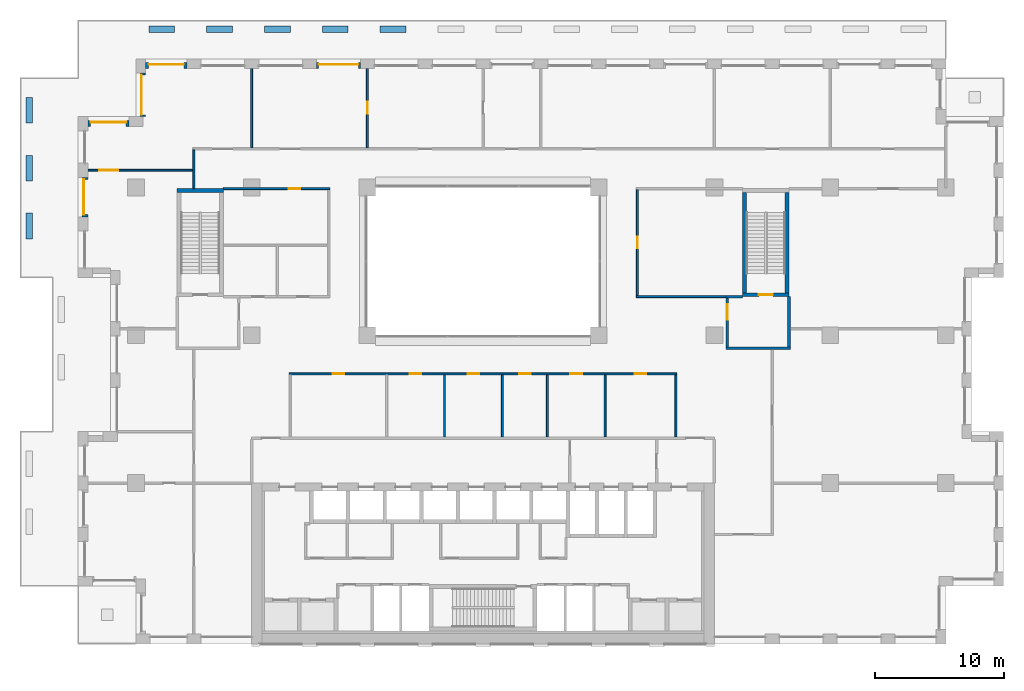
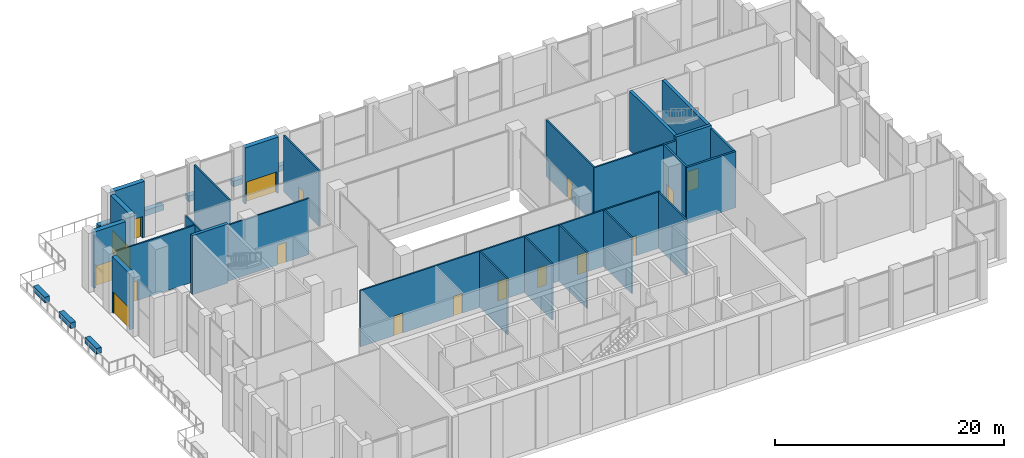
# One storey, part 16 of 21: 34 walls, 17 doors, 17 openings.
"""IFC4 building model written with IfcOpenShell, lengths in metres."""

from ifc_helpers import new_model, si_unit, direction, frame, frame_2d, origin, place, context, subcontext, project, spatial, rectangle, extrude, material, layer, layer_set, type_object, element, fill, save


model = new_model("IFC4")

# Units and contexts
model_context = context("Model", 3, precision=1e-05, world=origin(), true_north=direction((0.0, 1.0)))
body_context = subcontext(model_context, "Body", "Model", "MODEL_VIEW")
ifc_project = project(units=[si_unit("LENGTHUNIT", "METRE"), si_unit("AREAUNIT", "SQUARE_METRE"), si_unit("VOLUMEUNIT", "CUBIC_METRE"), si_unit("PLANEANGLEUNIT", "RADIAN"), si_unit("MASSUNIT", "GRAM", prefix="KILO")], contexts=[model_context])

# Site, building, storey
site_placement = place(None, origin())
site = spatial("IfcSite", under=ifc_project, at=site_placement, CompositionType="ELEMENT")
building_placement = place(site_placement, origin())
building = spatial("IfcBuilding", under=site, at=building_placement, Name="Brigalow Station Residences", CompositionType="ELEMENT")
storey_placement = place(building_placement, frame((0.0, 0.0, 77.25)))
storey = spatial("IfcBuildingStorey", under=building, at=storey_placement, Name="L22", CompositionType="ELEMENT", Elevation=77.25)

# Wall, opening, door
ifc_material_1 = material(Name="Clay brick masonry", Category="masonry")
ifc_layer_1 = layer(ifc_material_1, 0.449951171875)
ifc_layer_set_1 = layer_set([ifc_layer_1], Name="BRICK INFILL WALL 450")
wall_type_1 = type_object("IfcWallType", Name="BRICK INFILL WALL 450", PredefinedType="SOLIDWALL", material=ifc_layer_set_1)
wall_1_placement = place(storey_placement, frame((26.449951171875, 44.97509765625, 0.0), z_axis=(0.0, 0.0, 1.0), x_axis=(-1.0, 0.0, 0.0)))
wall_1 = element("IfcWall", 1, at=wall_1_placement, inside=storey, type_object=wall_type_1, Name="L22/ewall/W-L22-33", PredefinedType="SOLIDWALL", context=body_context, shape_type="SweptSolid", body=[
    extrude(rectangle(XDim=3.39990234375, YDim=0.449951171875, at=frame_2d((1.699951171875, 0.0))), origin(), (0.0, 0.0, 1.0), 5.97998046875),
])
opening_1_placement = place(wall_1_placement, frame((0.14990234375, 0.0, 0.0)))
opening_1 = element("IfcOpeningElement", 2, at=opening_1_placement, cuts=wall_1, Name="Opening D-B3100", PredefinedType="OPENING", context=body_context, shape_type="SweptSolid", body=[
    extrude(rectangle(XDim=3.10009765625, YDim=2.300048828125, at=frame_2d((1.550048828125, 1.14990234375))), frame((0.0, 0.23486328125, 0.0), z_axis=(0.0, -1.0, 0.0), x_axis=(1.0, 0.0, 0.0)), (0.0, 0.0, 1.0), 0.469970703125),
])
ifc_material_2 = material(Name="Anodised aluminium frame with double glazing", Category="aluminium")
door_type_1 = type_object("IfcDoorType", Name="BALCONY SLIDING DOOR 3100x2300", OperationType="SLIDING_TO_LEFT", PredefinedType="DOOR", material=ifc_material_2)
door_1_placement = place(opening_1_placement, origin())
door_1 = element("IfcDoor", 3, at=door_1_placement, inside=storey, type_object=door_type_1, Name="L22/balcony-door/W-L22-33", OperationType="SLIDING_TO_LEFT", OverallHeight=2.300048828125, OverallWidth=3.10009765625, PredefinedType="DOOR", context=body_context, shape_type="SweptSolid", body=[
    extrude(rectangle(XDim=3.10009765625, YDim=2.300048828125, at=frame_2d((1.550048828125, 1.14990234375))), frame((0.0, -0.06982421875, 0.0), z_axis=(0.0, -1.0, 0.0), x_axis=(1.0, 0.0, 0.0)), (0.0, 0.0, 1.0), 0.050048828125),
])
fill(opening_1, door_1)

wall_2_placement = place(storey_placement, frame((12.949951171875, 44.97509765625, 0.0), z_axis=(0.0, 0.0, 1.0), x_axis=(-1.0, 0.0, 0.0)))
wall_2 = element("IfcWall", 4, at=wall_2_placement, inside=storey, type_object=wall_type_1, Name="L22/ewall/W-L22-36", PredefinedType="SOLIDWALL", context=body_context, shape_type="SweptSolid", body=[
    extrude(rectangle(XDim=3.199951171875, YDim=0.449951171875, at=frame_2d((1.60009765625, 0.0))), origin(), (0.0, 0.0, 1.0), 5.97998046875),
])
opening_2_placement = place(wall_2_placement, frame((0.22509765625, 0.0, 0.0)))
opening_2 = element("IfcOpeningElement", 5, at=opening_2_placement, cuts=wall_2, Name="Opening D-B2750", PredefinedType="OPENING", context=body_context, shape_type="SweptSolid", body=[
    extrude(rectangle(XDim=2.75, YDim=2.300048828125, at=frame_2d((1.375, 1.14990234375))), frame((0.0, 0.23486328125, 0.0), z_axis=(0.0, -1.0, 0.0), x_axis=(1.0, 0.0, 0.0)), (0.0, 0.0, 1.0), 0.469970703125),
])
ifc_material_3 = material(Name="Anodised aluminium frame with double glazing", Category="aluminium")
door_type_2 = type_object("IfcDoorType", Name="BALCONY SLIDING DOOR 2750x2300", OperationType="SLIDING_TO_LEFT", PredefinedType="DOOR", material=ifc_material_3)
door_2_placement = place(opening_2_placement, origin())
door_2 = element("IfcDoor", 6, at=door_2_placement, inside=storey, type_object=door_type_2, Name="L22/balcony-door/W-L22-36", OperationType="SLIDING_TO_LEFT", OverallHeight=2.300048828125, OverallWidth=2.75, PredefinedType="DOOR", context=body_context, shape_type="SweptSolid", body=[
    extrude(rectangle(XDim=2.75, YDim=2.300048828125, at=frame_2d((1.375, 1.14990234375))), frame((0.0, -0.06982421875, 0.0), z_axis=(0.0, -1.0, 0.0), x_axis=(1.0, 0.0, 0.0)), (0.0, 0.0, 1.0), 0.050048828125),
])
fill(opening_2, door_2)

wall_3_placement = place(storey_placement, frame((9.52490234375, 44.39990234375, 0.0), z_axis=(0.0, 0.0, 1.0), x_axis=(0.0, -1.0, 0.0)))
wall_3 = element("IfcWall", 7, at=wall_3_placement, inside=storey, type_object=wall_type_1, Name="L22/ewall/W-L22-37", PredefinedType="SOLIDWALL", context=body_context, shape_type="SweptSolid", body=[
    extrude(rectangle(XDim=3.39990234375, YDim=0.449951171875, at=frame_2d((1.699951171875, 0.0))), origin(), (0.0, 0.0, 1.0), 5.97998046875),
])
opening_3_placement = place(wall_3_placement, frame((0.14990234375, 0.0, 0.0)))
opening_3 = element("IfcOpeningElement", 8, at=opening_3_placement, cuts=wall_3, Name="Opening D-B3100", PredefinedType="OPENING", context=body_context, shape_type="SweptSolid", body=[
    extrude(rectangle(XDim=3.10009765625, YDim=2.300048828125, at=frame_2d((1.550048828125, 1.14990234375))), frame((0.0, 0.23486328125, 0.0), z_axis=(0.0, -1.0, 0.0), x_axis=(1.0, 0.0, 0.0)), (0.0, 0.0, 1.0), 0.469970703125),
])
door_3_placement = place(opening_3_placement, origin())
door_3 = element("IfcDoor", 9, at=door_3_placement, inside=storey, type_object=door_type_1, Name="L22/balcony-door/W-L22-37", OperationType="SLIDING_TO_LEFT", OverallHeight=2.300048828125, OverallWidth=3.10009765625, PredefinedType="DOOR", context=body_context, shape_type="SweptSolid", body=[
    extrude(rectangle(XDim=3.10009765625, YDim=2.300048828125, at=frame_2d((1.550048828125, 1.14990234375))), frame((0.0, -0.06982421875, 0.0), z_axis=(0.0, -1.0, 0.0), x_axis=(1.0, 0.0, 0.0)), (0.0, 0.0, 1.0), 0.050048828125),
])
fill(opening_3, door_3)

wall_4_placement = place(storey_placement, frame((8.449951171875, 40.47509765625, 0.0), z_axis=(0.0, 0.0, 1.0), x_axis=(-1.0, 0.0, 0.0)))
wall_4 = element("IfcWall", 10, at=wall_4_placement, inside=storey, type_object=wall_type_1, Name="L22/ewall/W-L22-38", PredefinedType="SOLIDWALL", context=body_context, shape_type="SweptSolid", body=[
    extrude(rectangle(XDim=3.199951171875, YDim=0.449951171875, at=frame_2d((1.60009765625, 0.0))), origin(), (0.0, 0.0, 1.0), 5.97998046875),
])
opening_4_placement = place(wall_4_placement, frame((0.22509765625, 0.0, 0.0)))
opening_4 = element("IfcOpeningElement", 11, at=opening_4_placement, cuts=wall_4, Name="Opening D-B2750", PredefinedType="OPENING", context=body_context, shape_type="SweptSolid", body=[
    extrude(rectangle(XDim=2.75, YDim=2.300048828125, at=frame_2d((1.375, 1.14990234375))), frame((0.0, 0.23486328125, 0.0), z_axis=(0.0, -1.0, 0.0), x_axis=(1.0, 0.0, 0.0)), (0.0, 0.0, 1.0), 0.469970703125),
])
door_4_placement = place(opening_4_placement, origin())
door_4 = element("IfcDoor", 12, at=door_4_placement, inside=storey, type_object=door_type_2, Name="L22/balcony-door/W-L22-38", OperationType="SLIDING_TO_LEFT", OverallHeight=2.300048828125, OverallWidth=2.75, PredefinedType="DOOR", context=body_context, shape_type="SweptSolid", body=[
    extrude(rectangle(XDim=2.75, YDim=2.300048828125, at=frame_2d((1.375, 1.14990234375))), frame((0.0, -0.06982421875, 0.0), z_axis=(0.0, -1.0, 0.0), x_axis=(1.0, 0.0, 0.0)), (0.0, 0.0, 1.0), 0.050048828125),
])
fill(opening_4, door_4)

wall_5_placement = place(storey_placement, frame((5.02490234375, 36.282958984375, 0.0), z_axis=(0.0, 0.0, 1.0), x_axis=(0.0, -1.0, 0.0)))
wall_5 = element("IfcWall", 13, at=wall_5_placement, inside=storey, type_object=wall_type_1, Name="L22/ewall/W-L22-40", PredefinedType="SOLIDWALL", context=body_context, shape_type="SweptSolid", body=[
    extrude(rectangle(XDim=3.06591796875, YDim=0.449951171875, at=frame_2d((1.532958984375, 0.0))), origin(), (0.0, 0.0, 1.0), 5.97998046875),
])
opening_5_placement = place(wall_5_placement, frame((0.157958984375, 0.0, 0.0)))
opening_5 = element("IfcOpeningElement", 14, at=opening_5_placement, cuts=wall_5, Name="Opening D-B2750", PredefinedType="OPENING", context=body_context, shape_type="SweptSolid", body=[
    extrude(rectangle(XDim=2.75, YDim=2.300048828125, at=frame_2d((1.375, 1.14990234375))), frame((0.0, 0.23486328125, 0.0), z_axis=(0.0, -1.0, 0.0), x_axis=(1.0, 0.0, 0.0)), (0.0, 0.0, 1.0), 0.469970703125),
])
door_5_placement = place(opening_5_placement, origin())
door_5 = element("IfcDoor", 15, at=door_5_placement, inside=storey, type_object=door_type_2, Name="L22/balcony-door/W-L22-40", OperationType="SLIDING_TO_LEFT", OverallHeight=2.300048828125, OverallWidth=2.75, PredefinedType="DOOR", context=body_context, shape_type="SweptSolid", body=[
    extrude(rectangle(XDim=2.75, YDim=2.300048828125, at=frame_2d((1.375, 1.14990234375))), frame((0.0, -0.06982421875, 0.0), z_axis=(0.0, -1.0, 0.0), x_axis=(1.0, 0.0, 0.0)), (0.0, 0.0, 1.0), 0.050048828125),
])
fill(opening_5, door_5)

# Wall
ifc_material_4 = material(Name="Concrete C65", Category="concrete")
ifc_layer_2 = layer(ifc_material_4, 0.300048828125)
ifc_layer_set_2 = layer_set([ifc_layer_2], Name="CORE SHEAR WALL 300 C65")
wall_type_2 = type_object("IfcWallType", Name="CORE SHEAR WALL 300 C65", PredefinedType="SHEAR", material=ifc_layer_set_2)
wall_6_placement = place(storey_placement, frame((12.199951171875, 35.25, 0.0), z_axis=(0.0, 0.0, 1.0), x_axis=(1.0, 0.0, 0.0)))
element("IfcWall", 16, at=wall_6_placement, inside=storey, type_object=wall_type_2, Name="CORE WALL ST-S1-N L22", PredefinedType="SHEAR", context=body_context, shape_type="SweptSolid", body=[
    extrude(rectangle(XDim=3.60009765625, YDim=0.300048828125, at=frame_2d((1.800048828125, 0.0))), origin(), (0.0, 0.0, 1.0), 6.300048828125),
])

# Wall, opening, door
wall_7_placement = place(storey_placement, frame((56.199951171875, 27.14990234375, 0.0), z_axis=(0.0, 0.0, 1.0), x_axis=(1.0, 0.0, 0.0)))
wall_7 = element("IfcWall", 17, at=wall_7_placement, inside=storey, type_object=wall_type_2, Name="CORE WALL ST-S3-S L22", PredefinedType="SHEAR", context=body_context, shape_type="SweptSolid", body=[
    extrude(rectangle(XDim=3.60009765625, YDim=0.300048828125, at=frame_2d((1.800048828125, 0.0))), origin(), (0.0, 0.0, 1.0), 6.300048828125),
])
opening_6_placement = place(wall_7_placement, frame((1.25, 0.0, 0.0)))
opening_6 = element("IfcOpeningElement", 18, at=opening_6_placement, cuts=wall_7, Name="Opening D-5018", PredefinedType="OPENING", context=body_context, shape_type="SweptSolid", body=[
    extrude(rectangle(XDim=1.10009765625, YDim=2.10009765625, at=frame_2d((0.550048828125, 1.050048828125))), frame((0.0, 0.16015625, 0.0), z_axis=(0.0, -1.0, 0.0), x_axis=(1.0, 0.0, 0.0)), (0.0, 0.0, 1.0), 0.320068359375),
])
ifc_material_5 = material(Name="Steel fire door leaf in steel frame", Category="steel")
door_type_3 = type_object("IfcDoorType", Name="STAIR DOOR 1100 x 2100 FD60S", OperationType="SINGLE_SWING_LEFT", PredefinedType="DOOR", material=ifc_material_5)
door_6_placement = place(opening_6_placement, origin())
door_6 = element("IfcDoor", 19, at=door_6_placement, inside=storey, type_object=door_type_3, Name="D-5018", OperationType="SINGLE_SWING_RIGHT", OverallHeight=2.10009765625, OverallWidth=1.10009765625, PredefinedType="DOOR", context=body_context, shape_type="SweptSolid", body=[
    extrude(rectangle(XDim=1.10009765625, YDim=2.10009765625, at=frame_2d((0.550048828125, 1.050048828125))), frame((0.0, 0.02490234375, 0.0), z_axis=(0.0, -1.0, 0.0), x_axis=(1.0, 0.0, 0.0)), (0.0, 0.0, 1.0), 0.050048828125),
])
fill(opening_6, door_6)

# Walls
for number, where, z_axis, x_axis, name in (
    (20, (56.35009765625, 27.300048828125, 0.0), (0.0, 0.0, 1.0), (0.0, 1.0, 0.0), "CORE WALL ST-S3-W L22"),
    (21, (59.64990234375, 27.300048828125, 0.0), (0.0, 0.0, 1.0), (0.0, 1.0, 0.0), "CORE WALL ST-S3-E L22"),
):
    element("IfcWall", number, at=place(storey_placement, frame(where, z_axis=z_axis, x_axis=x_axis)), inside=storey, type_object=wall_type_2, Name=name, PredefinedType="SHEAR", context=body_context, shape_type="SweptSolid", body=[
        extrude(rectangle(XDim=7.800048828125, YDim=0.300048828125, at=frame_2d((3.89990234375, 0.0))), origin(), (0.0, 0.0, 1.0), 6.300048828125),
    ])
ifc_material_6 = material(Name="Concrete blockwork", Category="masonry")
ifc_layer_3 = layer(ifc_material_6, 0.199951171875)
ifc_layer_set_3 = layer_set([ifc_layer_3], Name="FIRE RATED CORE PARTITION 200")
wall_type_3 = type_object("IfcWallType", Name="FIRE RATED CORE PARTITION 200", PredefinedType="PARTITIONING", material=ifc_layer_set_3)
wall_8_placement = place(storey_placement, frame((54.89990234375, 23.0, 0.0), z_axis=(0.0, 0.0, 1.0), x_axis=(1.0, 0.0, 0.0)))
element("IfcWall", 22, at=wall_8_placement, inside=storey, type_object=wall_type_3, Name="PW-5024", PredefinedType="PARTITIONING", context=body_context, shape_type="SweptSolid", body=[
    extrude(rectangle(XDim=5.0, YDim=0.199951171875, at=frame_2d((2.5, 0.0))), origin(), (0.0, 0.0, 1.0), 5.97998046875),
])
wall_9_placement = place(storey_placement, frame((54.89990234375, 27.0, 0.0), z_axis=(0.0, 0.0, 1.0), x_axis=(1.0, 0.0, 0.0)))
element("IfcWall", 23, at=wall_9_placement, inside=storey, type_object=wall_type_3, Name="PW-5026", PredefinedType="PARTITIONING", context=body_context, shape_type="SweptSolid", body=[
    extrude(rectangle(XDim=1.300048828125, YDim=0.199951171875, at=frame_2d((0.64990234375, 0.0))), origin(), (0.0, 0.0, 1.0), 5.97998046875),
])

# Wall, opening, door
wall_10_placement = place(storey_placement, frame((55.0, 23.10009765625, 0.0), z_axis=(0.0, 0.0, 1.0), x_axis=(0.0, 1.0, 0.0)))
wall_10 = element("IfcWall", 24, at=wall_10_placement, inside=storey, type_object=wall_type_3, Name="PW-5036", PredefinedType="PARTITIONING", context=body_context, shape_type="SweptSolid", body=[
    extrude(rectangle(XDim=3.7998046875, YDim=0.199951171875, at=frame_2d((1.89990234375, 0.0))), origin(), (0.0, 0.0, 1.0), 5.97998046875),
])
opening_7_placement = place(wall_10_placement, frame((2.10009765625, 0.0, 0.0)))
opening_7 = element("IfcOpeningElement", 25, at=opening_7_placement, cuts=wall_10, Name="Opening D-5019", PredefinedType="OPENING", context=body_context, shape_type="SweptSolid", body=[
    extrude(rectangle(XDim=1.199951171875, YDim=2.10009765625, at=frame_2d((0.60009765625, 1.050048828125))), frame((0.0, 0.10986328125, 0.0), z_axis=(0.0, -1.0, 0.0), x_axis=(1.0, 0.0, 0.0)), (0.0, 0.0, 1.0), 0.219970703125),
])
ifc_material_7 = material(Name="Steel fire door leaf in steel frame", Category="steel")
door_type_4 = type_object("IfcDoorType", Name="STAIR LOBBY DOOR 1200 x 2100 FD60S", OperationType="SINGLE_SWING_LEFT", PredefinedType="DOOR", material=ifc_material_7)
door_7_placement = place(opening_7_placement, frame((1.199951171875, 0.0, 0.0), z_axis=(0.0, 0.0, 1.0), x_axis=(-1.0, 0.0, 0.0)))
door_7 = element("IfcDoor", 26, at=door_7_placement, inside=storey, type_object=door_type_4, Name="D-5019", OperationType="SINGLE_SWING_LEFT", OverallHeight=2.10009765625, OverallWidth=1.199951171875, PredefinedType="DOOR", context=body_context, shape_type="SweptSolid", body=[
    extrude(rectangle(XDim=1.199951171875, YDim=2.10009765625, at=frame_2d((0.60009765625, 1.050048828125))), frame((0.0, 0.02490234375, 0.0), z_axis=(0.0, -1.0, 0.0), x_axis=(1.0, 0.0, 0.0)), (0.0, 0.0, 1.0), 0.050048828125),
])
fill(opening_7, door_7)

# Wall
wall_11_placement = place(storey_placement, frame((59.800048828125, 23.10009765625, 0.0), z_axis=(0.0, 0.0, 1.0), x_axis=(0.0, 1.0, 0.0)))
element("IfcWall", 27, at=wall_11_placement, inside=storey, type_object=wall_type_3, Name="PW-5037", PredefinedType="PARTITIONING", context=body_context, shape_type="SweptSolid", body=[
    extrude(rectangle(XDim=3.89990234375, YDim=0.199951171875, at=frame_2d((1.949951171875, 0.0))), origin(), (0.0, 0.0, 1.0), 5.97998046875),
])

# Wall, openings, doors
ifc_material_8 = material(Name="Plasterboard on steel stud partition", Category="steel")
ifc_layer_4 = layer(ifc_material_8, 0.14990234375)
ifc_layer_set_4 = layer_set([ifc_layer_4], Name="FLAT PARTITION 150")
wall_type_4 = type_object("IfcWallType", Name="FLAT PARTITION 150", PredefinedType="PARTITIONING", material=ifc_layer_set_4)
wall_12_placement = place(storey_placement, frame((20.925048828125, 21.0, 0.0), z_axis=(0.0, 0.0, 1.0), x_axis=(1.0, 0.0, 0.0)))
wall_12 = element("IfcWall", 28, at=wall_12_placement, inside=storey, type_object=wall_type_4, Name="PW-SA101", PredefinedType="PARTITIONING", context=body_context, shape_type="SweptSolid", body=[
    extrude(rectangle(XDim=30.14990234375, YDim=0.14990234375, at=frame_2d((15.074951171875, 0.0))), origin(), (0.0, 0.0, 1.0), 5.97998046875),
])
opening_8_placement = place(wall_12_placement, frame((3.375, 0.0, 0.0)))
opening_8 = element("IfcOpeningElement", 29, at=opening_8_placement, cuts=wall_12, Name="Opening D-SA121", PredefinedType="OPENING", context=body_context, shape_type="SweptSolid", body=[
    extrude(rectangle(XDim=0.89990234375, YDim=2.10009765625, at=frame_2d((0.449951171875, 1.050048828125))), frame((0.0, 0.0849609375, 0.0), z_axis=(0.0, -1.0, 0.0), x_axis=(1.0, 0.0, 0.0)), (0.0, 0.0, 1.0), 0.169921875),
])
opening_9_placement = place(wall_12_placement, frame((9.375, 0.0, 0.0)))
opening_9 = element("IfcOpeningElement", 30, at=opening_9_placement, cuts=wall_12, Name="Opening D-SA122", PredefinedType="OPENING", context=body_context, shape_type="SweptSolid", body=[
    extrude(rectangle(XDim=0.89990234375, YDim=2.10009765625, at=frame_2d((0.449951171875, 1.050048828125))), frame((0.0, 0.0849609375, 0.0), z_axis=(0.0, -1.0, 0.0), x_axis=(1.0, 0.0, 0.0)), (0.0, 0.0, 1.0), 0.169921875),
])
opening_10_placement = place(wall_12_placement, frame((13.875, 0.0, 0.0)))
opening_10 = element("IfcOpeningElement", 31, at=opening_10_placement, cuts=wall_12, Name="Opening D-SA123", PredefinedType="OPENING", context=body_context, shape_type="SweptSolid", body=[
    extrude(rectangle(XDim=0.89990234375, YDim=2.10009765625, at=frame_2d((0.449951171875, 1.050048828125))), frame((0.0, 0.0849609375, 0.0), z_axis=(0.0, -1.0, 0.0), x_axis=(1.0, 0.0, 0.0)), (0.0, 0.0, 1.0), 0.169921875),
])
opening_11_placement = place(wall_12_placement, frame((17.875, 0.0, 0.0)))
opening_11 = element("IfcOpeningElement", 32, at=opening_11_placement, cuts=wall_12, Name="Opening D-SA124", PredefinedType="OPENING", context=body_context, shape_type="SweptSolid", body=[
    extrude(rectangle(XDim=0.89990234375, YDim=2.10009765625, at=frame_2d((0.449951171875, 1.050048828125))), frame((0.0, 0.0849609375, 0.0), z_axis=(0.0, -1.0, 0.0), x_axis=(1.0, 0.0, 0.0)), (0.0, 0.0, 1.0), 0.169921875),
])
opening_12_placement = place(wall_12_placement, frame((21.875, 0.0, 0.0)))
opening_12 = element("IfcOpeningElement", 33, at=opening_12_placement, cuts=wall_12, Name="Opening D-SA125", PredefinedType="OPENING", context=body_context, shape_type="SweptSolid", body=[
    extrude(rectangle(XDim=0.89990234375, YDim=2.10009765625, at=frame_2d((0.449951171875, 1.050048828125))), frame((0.0, 0.0849609375, 0.0), z_axis=(0.0, -1.0, 0.0), x_axis=(1.0, 0.0, 0.0)), (0.0, 0.0, 1.0), 0.169921875),
])
opening_13_placement = place(wall_12_placement, frame((26.875, 0.0, 0.0)))
opening_13 = element("IfcOpeningElement", 34, at=opening_13_placement, cuts=wall_12, Name="Opening D-SA126", PredefinedType="OPENING", context=body_context, shape_type="SweptSolid", body=[
    extrude(rectangle(XDim=0.89990234375, YDim=2.10009765625, at=frame_2d((0.449951171875, 1.050048828125))), frame((0.0, 0.0849609375, 0.0), z_axis=(0.0, -1.0, 0.0), x_axis=(1.0, 0.0, 0.0)), (0.0, 0.0, 1.0), 0.169921875),
])
ifc_material_9 = material(Name="Solid-core timber door leaf", Category="wood")
door_type_5 = type_object("IfcDoorType", Name="INTERNAL DOOR 900 x 2100", OperationType="SINGLE_SWING_LEFT", PredefinedType="DOOR", material=ifc_material_9)
door_8_placement = place(opening_8_placement, frame((0.89990234375, 0.0, 0.0), z_axis=(0.0, 0.0, 1.0), x_axis=(-1.0, 0.0, 0.0)))
door_8 = element("IfcDoor", 35, at=door_8_placement, inside=storey, type_object=door_type_5, Name="D-SA121", OperationType="SINGLE_SWING_RIGHT", OverallHeight=2.10009765625, OverallWidth=0.89990234375, PredefinedType="DOOR", context=body_context, shape_type="SweptSolid", body=[
    extrude(rectangle(XDim=0.89990234375, YDim=2.10009765625, at=frame_2d((0.449951171875, 1.050048828125))), frame((0.0, 0.02490234375, 0.0), z_axis=(0.0, -1.0, 0.0), x_axis=(1.0, 0.0, 0.0)), (0.0, 0.0, 1.0), 0.050048828125),
])
fill(opening_8, door_8)
door_9_placement = place(opening_9_placement, frame((0.89990234375, 0.0, 0.0), z_axis=(0.0, 0.0, 1.0), x_axis=(-1.0, 0.0, 0.0)))
door_9 = element("IfcDoor", 36, at=door_9_placement, inside=storey, type_object=door_type_5, Name="D-SA122", OperationType="SINGLE_SWING_LEFT", OverallHeight=2.10009765625, OverallWidth=0.89990234375, PredefinedType="DOOR", context=body_context, shape_type="SweptSolid", body=[
    extrude(rectangle(XDim=0.89990234375, YDim=2.10009765625, at=frame_2d((0.449951171875, 1.050048828125))), frame((0.0, 0.02490234375, 0.0), z_axis=(0.0, -1.0, 0.0), x_axis=(1.0, 0.0, 0.0)), (0.0, 0.0, 1.0), 0.050048828125),
])
fill(opening_9, door_9)
door_10_placement = place(opening_10_placement, frame((0.89990234375, 0.0, 0.0), z_axis=(0.0, 0.0, 1.0), x_axis=(-1.0, 0.0, 0.0)))
door_10 = element("IfcDoor", 37, at=door_10_placement, inside=storey, type_object=door_type_5, Name="D-SA123", OperationType="SINGLE_SWING_LEFT", OverallHeight=2.10009765625, OverallWidth=0.89990234375, PredefinedType="DOOR", context=body_context, shape_type="SweptSolid", body=[
    extrude(rectangle(XDim=0.89990234375, YDim=2.10009765625, at=frame_2d((0.449951171875, 1.050048828125))), frame((0.0, 0.02490234375, 0.0), z_axis=(0.0, -1.0, 0.0), x_axis=(1.0, 0.0, 0.0)), (0.0, 0.0, 1.0), 0.050048828125),
])
fill(opening_10, door_10)
door_11_placement = place(opening_11_placement, frame((0.89990234375, 0.0, 0.0), z_axis=(0.0, 0.0, 1.0), x_axis=(-1.0, 0.0, 0.0)))
door_11 = element("IfcDoor", 38, at=door_11_placement, inside=storey, type_object=door_type_5, Name="D-SA124", OperationType="SINGLE_SWING_RIGHT", OverallHeight=2.10009765625, OverallWidth=0.89990234375, PredefinedType="DOOR", context=body_context, shape_type="SweptSolid", body=[
    extrude(rectangle(XDim=0.89990234375, YDim=2.10009765625, at=frame_2d((0.449951171875, 1.050048828125))), frame((0.0, 0.02490234375, 0.0), z_axis=(0.0, -1.0, 0.0), x_axis=(1.0, 0.0, 0.0)), (0.0, 0.0, 1.0), 0.050048828125),
])
fill(opening_11, door_11)
door_12_placement = place(opening_12_placement, frame((0.89990234375, 0.0, 0.0), z_axis=(0.0, 0.0, 1.0), x_axis=(-1.0, 0.0, 0.0)))
door_12 = element("IfcDoor", 39, at=door_12_placement, inside=storey, type_object=door_type_5, Name="D-SA125", OperationType="SINGLE_SWING_LEFT", OverallHeight=2.10009765625, OverallWidth=0.89990234375, PredefinedType="DOOR", context=body_context, shape_type="SweptSolid", body=[
    extrude(rectangle(XDim=0.89990234375, YDim=2.10009765625, at=frame_2d((0.449951171875, 1.050048828125))), frame((0.0, 0.02490234375, 0.0), z_axis=(0.0, -1.0, 0.0), x_axis=(1.0, 0.0, 0.0)), (0.0, 0.0, 1.0), 0.050048828125),
])
fill(opening_12, door_12)
door_13_placement = place(opening_13_placement, frame((0.89990234375, 0.0, 0.0), z_axis=(0.0, 0.0, 1.0), x_axis=(-1.0, 0.0, 0.0)))
door_13 = element("IfcDoor", 40, at=door_13_placement, inside=storey, type_object=door_type_5, Name="D-SA126", OperationType="SINGLE_SWING_RIGHT", OverallHeight=2.10009765625, OverallWidth=0.89990234375, PredefinedType="DOOR", context=body_context, shape_type="SweptSolid", body=[
    extrude(rectangle(XDim=0.89990234375, YDim=2.10009765625, at=frame_2d((0.449951171875, 1.050048828125))), frame((0.0, 0.02490234375, 0.0), z_axis=(0.0, -1.0, 0.0), x_axis=(1.0, 0.0, 0.0)), (0.0, 0.0, 1.0), 0.050048828125),
])
fill(opening_13, door_13)

# Wall
wall_13_placement = place(storey_placement, frame((47.925048828125, 27.0, 0.0), z_axis=(0.0, 0.0, 1.0), x_axis=(1.0, 0.0, 0.0)))
element("IfcWall", 41, at=wall_13_placement, inside=storey, type_object=wall_type_4, Name="PW-SA103", PredefinedType="PARTITIONING", context=body_context, shape_type="SweptSolid", body=[
    extrude(rectangle(XDim=6.974853515625, YDim=0.14990234375, at=frame_2d((3.4873046875, 0.0))), origin(), (0.0, 0.0, 1.0), 5.97998046875),
])

# Wall, opening, door
wall_14_placement = place(storey_placement, frame((15.800048828125, 35.39990234375, 0.0), z_axis=(0.0, 0.0, 1.0), x_axis=(1.0, 0.0, 0.0)))
wall_14 = element("IfcWall", 42, at=wall_14_placement, inside=storey, type_object=wall_type_4, Name="PW-SA105", PredefinedType="PARTITIONING", context=body_context, shape_type="SweptSolid", body=[
    extrude(rectangle(XDim=8.27490234375, YDim=0.14990234375, at=frame_2d((4.137451171875, 0.0))), origin(), (0.0, 0.0, 1.0), 5.97998046875),
])
opening_14_placement = place(wall_14_placement, frame((5.074951171875, 0.0, 0.0)))
opening_14 = element("IfcOpeningElement", 43, at=opening_14_placement, cuts=wall_14, Name="Opening D-SA109", PredefinedType="OPENING", context=body_context, shape_type="SweptSolid", body=[
    extrude(rectangle(XDim=0.89990234375, YDim=2.10009765625, at=frame_2d((0.449951171875, 1.050048828125))), frame((0.0, 0.0849609375, 0.0), z_axis=(0.0, -1.0, 0.0), x_axis=(1.0, 0.0, 0.0)), (0.0, 0.0, 1.0), 0.169921875),
])
door_14_placement = place(opening_14_placement, frame((0.89990234375, 0.0, 0.0), z_axis=(0.0, 0.0, 1.0), x_axis=(-1.0, 0.0, 0.0)))
door_14 = element("IfcDoor", 44, at=door_14_placement, inside=storey, type_object=door_type_5, Name="D-SA109", OperationType="SINGLE_SWING_LEFT", OverallHeight=2.10009765625, OverallWidth=0.89990234375, PredefinedType="DOOR", context=body_context, shape_type="SweptSolid", body=[
    extrude(rectangle(XDim=0.89990234375, YDim=2.10009765625, at=frame_2d((0.449951171875, 1.050048828125))), frame((0.0, 0.02490234375, 0.0), z_axis=(0.0, -1.0, 0.0), x_axis=(1.0, 0.0, 0.0)), (0.0, 0.0, 1.0), 0.050048828125),
])
fill(opening_14, door_14)

wall_15_placement = place(storey_placement, frame((5.25, 36.8330078125, 0.0), z_axis=(0.0, 0.0, 1.0), x_axis=(1.0, 0.0, 0.0)))
wall_15 = element("IfcWall", 45, at=wall_15_placement, inside=storey, type_object=wall_type_4, Name="PW-SA115", PredefinedType="PARTITIONING", context=body_context, shape_type="SweptSolid", body=[
    extrude(rectangle(XDim=8.175048828125, YDim=0.14990234375, at=frame_2d((4.08740234375, 0.0))), origin(), (0.0, 0.0, 1.0), 5.97998046875),
])
opening_15_placement = place(wall_15_placement, frame((0.875, 0.0, 0.0)))
opening_15 = element("IfcOpeningElement", 46, at=opening_15_placement, cuts=wall_15, Name="Opening D-SA110", PredefinedType="OPENING", context=body_context, shape_type="SweptSolid", body=[
    extrude(rectangle(XDim=1.5, YDim=2.10009765625, at=frame_2d((0.75, 1.050048828125))), frame((0.0, 0.0849609375, 0.0), z_axis=(0.0, -1.0, 0.0), x_axis=(1.0, 0.0, 0.0)), (0.0, 0.0, 1.0), 0.169921875),
])
ifc_material_10 = material(Name="Solid-core timber door leaf", Category="wood")
door_type_6 = type_object("IfcDoorType", Name="INTERNAL DOUBLE DOOR 1500 x 2100", OperationType="DOUBLE_DOOR_SINGLE_SWING", PredefinedType="DOOR", material=ifc_material_10)
door_15_placement = place(opening_15_placement, origin())
door_15 = element("IfcDoor", 47, at=door_15_placement, inside=storey, type_object=door_type_6, Name="D-SA110", OperationType="DOUBLE_DOOR_SINGLE_SWING", OverallHeight=2.10009765625, OverallWidth=1.5, PredefinedType="DOOR", context=body_context, shape_type="SweptSolid", body=[
    extrude(rectangle(XDim=1.5, YDim=2.10009765625, at=frame_2d((0.75, 1.050048828125))), frame((0.0, 0.02490234375, 0.0), z_axis=(0.0, -1.0, 0.0), x_axis=(1.0, 0.0, 0.0)), (0.0, 0.0, 1.0), 0.050048828125),
])
fill(opening_15, door_15)

# Wall
wall_16_placement = place(storey_placement, frame((51.0, 16.10009765625, 0.0), z_axis=(0.0, 0.0, 1.0), x_axis=(0.0, 1.0, 0.0)))
element("IfcWall", 48, at=wall_16_placement, inside=storey, type_object=wall_type_4, Name="PW-SA118", PredefinedType="PARTITIONING", context=body_context, shape_type="SweptSolid", body=[
    extrude(rectangle(XDim=4.824951171875, YDim=0.14990234375, at=frame_2d((2.41259765625, 0.0))), origin(), (0.0, 0.0, 1.0), 5.97998046875),
])

# Wall, opening, door
wall_17_placement = place(storey_placement, frame((48.0, 27.074951171875, 0.0), z_axis=(0.0, 0.0, 1.0), x_axis=(0.0, 1.0, 0.0)))
wall_17 = element("IfcWall", 49, at=wall_17_placement, inside=storey, type_object=wall_type_4, Name="PW-SA120", PredefinedType="PARTITIONING", context=body_context, shape_type="SweptSolid", body=[
    extrude(rectangle(XDim=8.25, YDim=0.14990234375, at=frame_2d((4.125, 0.0))), origin(), (0.0, 0.0, 1.0), 5.97998046875),
])
opening_16_placement = place(wall_17_placement, frame((3.675048828125, 0.0, 0.0)))
opening_16 = element("IfcOpeningElement", 50, at=opening_16_placement, cuts=wall_17, Name="Opening D-SA117", PredefinedType="OPENING", context=body_context, shape_type="SweptSolid", body=[
    extrude(rectangle(XDim=0.89990234375, YDim=2.10009765625, at=frame_2d((0.449951171875, 1.050048828125))), frame((0.0, 0.0849609375, 0.0), z_axis=(0.0, -1.0, 0.0), x_axis=(1.0, 0.0, 0.0)), (0.0, 0.0, 1.0), 0.169921875),
])
door_16_placement = place(opening_16_placement, frame((0.89990234375, 0.0, 0.0), z_axis=(0.0, 0.0, 1.0), x_axis=(-1.0, 0.0, 0.0)))
door_16 = element("IfcDoor", 51, at=door_16_placement, inside=storey, type_object=door_type_5, Name="D-SA117", OperationType="SINGLE_SWING_RIGHT", OverallHeight=2.10009765625, OverallWidth=0.89990234375, PredefinedType="DOOR", context=body_context, shape_type="SweptSolid", body=[
    extrude(rectangle(XDim=0.89990234375, YDim=2.10009765625, at=frame_2d((0.449951171875, 1.050048828125))), frame((0.0, 0.02490234375, 0.0), z_axis=(0.0, -1.0, 0.0), x_axis=(1.0, 0.0, 0.0)), (0.0, 0.0, 1.0), 0.050048828125),
])
fill(opening_16, door_16)

# Walls
wall_18_placement = place(storey_placement, frame((13.5, 35.39990234375, 0.0), z_axis=(0.0, 0.0, 1.0), x_axis=(0.0, 1.0, 0.0)))
element("IfcWall", 52, at=wall_18_placement, inside=storey, type_object=wall_type_4, Name="PW-SA123", PredefinedType="PARTITIONING", context=body_context, shape_type="SweptSolid", body=[
    extrude(rectangle(XDim=3.025146484375, YDim=0.14990234375, at=frame_2d((1.5126953125, 0.0))), origin(), (0.0, 0.0, 1.0), 5.97998046875),
])
wall_19_placement = place(storey_placement, frame((18.0, 38.574951171875, 0.0), z_axis=(0.0, 0.0, 1.0), x_axis=(0.0, 1.0, 0.0)))
element("IfcWall", 53, at=wall_19_placement, inside=storey, type_object=wall_type_4, Name="PW-SA127", PredefinedType="PARTITIONING", context=body_context, shape_type="SweptSolid", body=[
    extrude(rectangle(XDim=6.175048828125, YDim=0.14990234375, at=frame_2d((3.08740234375, 0.0))), origin(), (0.0, 0.0, 1.0), 5.97998046875),
])

# Wall, opening, door
wall_20_placement = place(storey_placement, frame((27.0, 38.574951171875, 0.0), z_axis=(0.0, 0.0, 1.0), x_axis=(0.0, 1.0, 0.0)))
wall_20 = element("IfcWall", 54, at=wall_20_placement, inside=storey, type_object=wall_type_4, Name="PW-SA128", PredefinedType="PARTITIONING", context=body_context, shape_type="SweptSolid", body=[
    extrude(rectangle(XDim=6.175048828125, YDim=0.14990234375, at=frame_2d((3.08740234375, 0.0))), origin(), (0.0, 0.0, 1.0), 5.97998046875),
])
opening_17_placement = place(wall_20_placement, frame((2.675048828125, 0.0, 0.0)))
opening_17 = element("IfcOpeningElement", 55, at=opening_17_placement, cuts=wall_20, Name="Opening D-SA113", PredefinedType="OPENING", context=body_context, shape_type="SweptSolid", body=[
    extrude(rectangle(XDim=0.89990234375, YDim=2.10009765625, at=frame_2d((0.449951171875, 1.050048828125))), frame((0.0, 0.0849609375, 0.0), z_axis=(0.0, -1.0, 0.0), x_axis=(1.0, 0.0, 0.0)), (0.0, 0.0, 1.0), 0.169921875),
])
door_17_placement = place(opening_17_placement, origin())
door_17 = element("IfcDoor", 56, at=door_17_placement, inside=storey, type_object=door_type_5, Name="D-SA113", OperationType="SINGLE_SWING_RIGHT", OverallHeight=2.10009765625, OverallWidth=0.89990234375, PredefinedType="DOOR", context=body_context, shape_type="SweptSolid", body=[
    extrude(rectangle(XDim=0.89990234375, YDim=2.10009765625, at=frame_2d((0.449951171875, 1.050048828125))), frame((0.0, 0.02490234375, 0.0), z_axis=(0.0, -1.0, 0.0), x_axis=(1.0, 0.0, 0.0)), (0.0, 0.0, 1.0), 0.050048828125),
])
fill(opening_17, door_17)

# Walls
for number, where, z_axis, x_axis, name in (
    (57, (33.0, 16.10009765625, 0.0), (0.0, 0.0, 1.0), (0.0, 1.0, 0.0), "PW-SA134"),
    (58, (37.5, 16.10009765625, 0.0), (0.0, 0.0, 1.0), (0.0, 1.0, 0.0), "PW-SA135"),
    (59, (41.0, 16.10009765625, 0.0), (0.0, 0.0, 1.0), (0.0, 1.0, 0.0), "PW-SA136"),
    (60, (45.5, 16.10009765625, 0.0), (0.0, 0.0, 1.0), (0.0, 1.0, 0.0), "PW-SA137"),
):
    element("IfcWall", number, at=place(storey_placement, frame(where, z_axis=z_axis, x_axis=x_axis)), inside=storey, type_object=wall_type_4, Name=name, PredefinedType="PARTITIONING", context=body_context, shape_type="SweptSolid", body=[
        extrude(rectangle(XDim=4.824951171875, YDim=0.14990234375, at=frame_2d((2.41259765625, 0.0))), origin(), (0.0, 0.0, 1.0), 5.97998046875),
    ])
ifc_material_11 = material(Name="Concrete C50 precast", Category="concrete")
ifc_layer_5 = layer(ifc_material_11, 0.5)
ifc_layer_set_5 = layer_set([ifc_layer_5], Name="PLANTER 500x600")
wall_type_5 = type_object("IfcWallType", Name="PLANTER 500x600", PredefinedType="USERDEFINED", material=ifc_layer_set_5)
for number, where, z_axis, x_axis, name in (
    (61, (30.0, 47.800048828125, -0.0400390625), (0.0, 0.0, 1.0), (-1.0, 0.0, 0.0), "L22/planter/1-10"),
    (62, (25.5, 47.800048828125, -0.0400390625), (0.0, 0.0, 1.0), (-1.0, 0.0, 0.0), "L22/planter/1-11"),
    (63, (21.0, 47.800048828125, -0.0400390625), (0.0, 0.0, 1.0), (-1.0, 0.0, 0.0), "L22/planter/1-12"),
    (64, (16.5, 47.800048828125, -0.0400390625), (0.0, 0.0, 1.0), (-1.0, 0.0, 0.0), "L22/planter/1-13"),
    (65, (12.0, 47.800048828125, -0.0400390625), (0.0, 0.0, 1.0), (-1.0, 0.0, 0.0), "L22/planter/1-14"),
    (66, (0.699951171875, 42.5, -0.0400390625), (0.0, 0.0, 1.0), (0.0, -1.0, 0.0), "L22/planter/1-15"),
    (67, (0.699951171875, 38.0, -0.0400390625), (0.0, 0.0, 1.0), (0.0, -1.0, 0.0), "L22/planter/1-16"),
    (68, (0.699951171875, 33.5, -0.0400390625), (0.0, 0.0, 1.0), (0.0, -1.0, 0.0), "L22/planter/1-17"),
):
    element("IfcWall", number, at=place(storey_placement, frame(where, z_axis=z_axis, x_axis=x_axis)), inside=storey, type_object=wall_type_5, Name=name, ObjectType="PLANTER", PredefinedType="USERDEFINED", context=body_context, shape_type="SweptSolid", body=[
        extrude(rectangle(XDim=2.0, YDim=0.5, at=frame_2d((1.0, 0.0))), origin(), (0.0, 0.0, 1.0), 0.60009765625),
    ])

save(model, "model.ifc")
